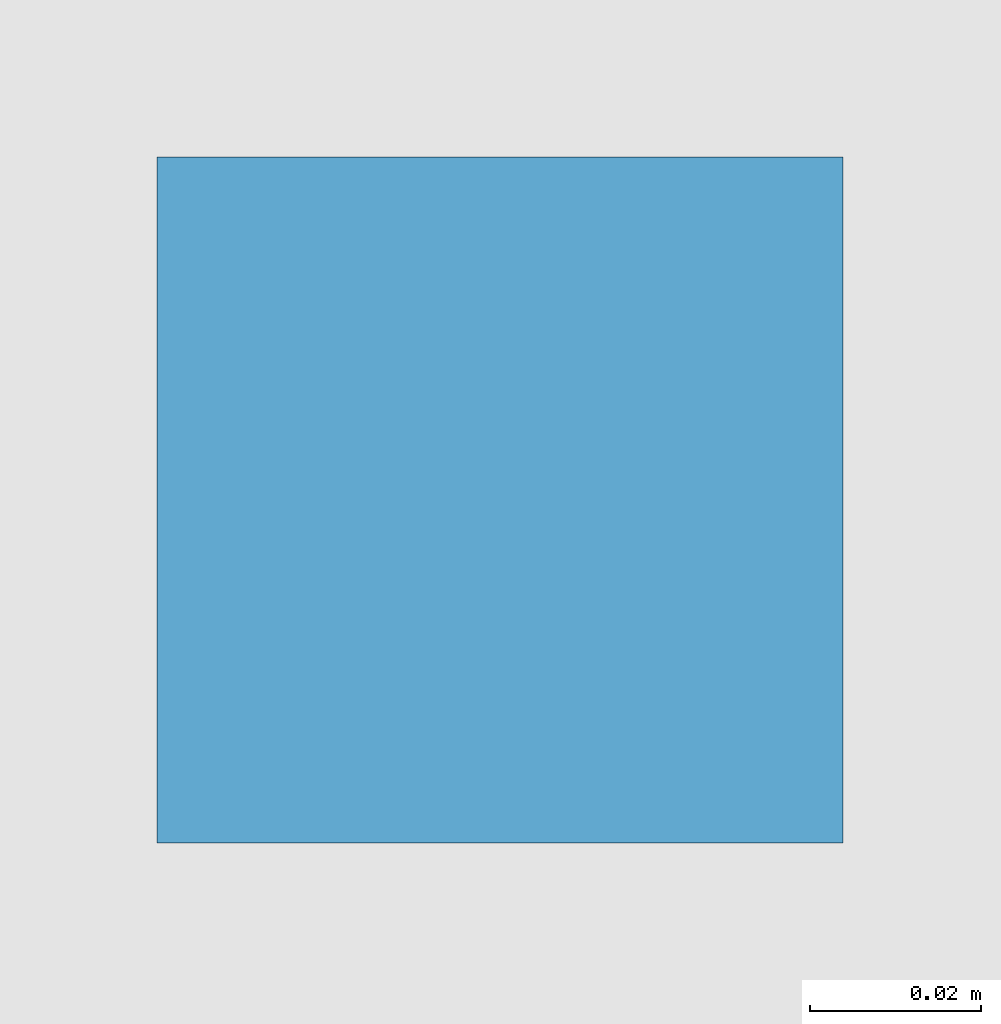
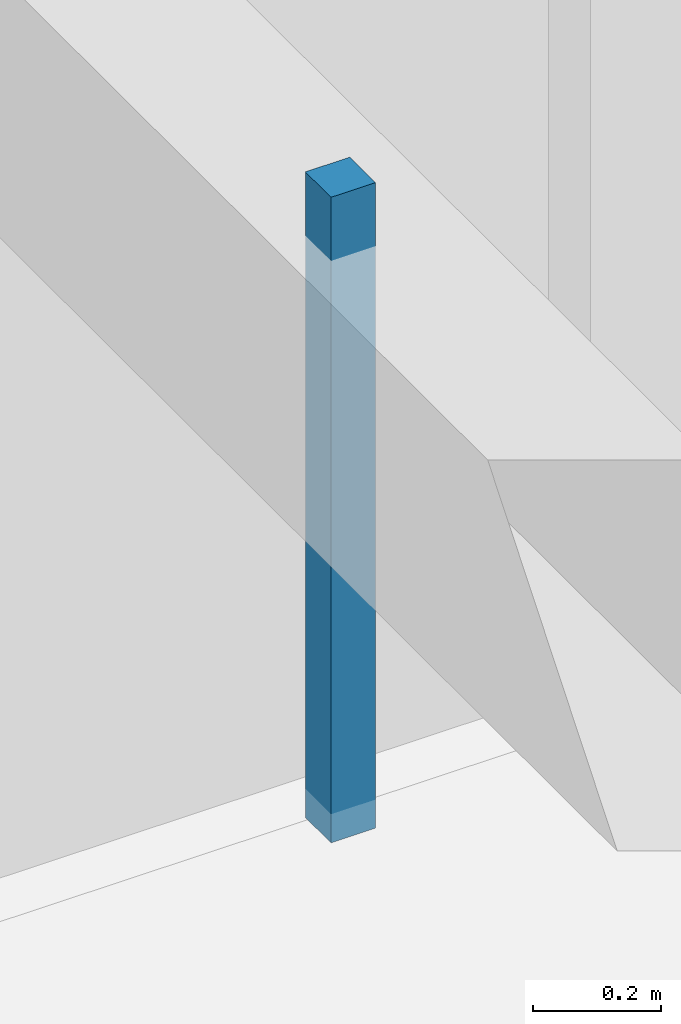
# One storey, part 119 of 144: 1 discrete accessory.
"""IFC4 building model written with IfcOpenShell, lengths in metres."""

from ifc_helpers import new_model, si_unit, direction, frame, origin, origin_2d, place, context, subcontext, project, spatial, rectangle, extrude, material, layer, layer_set, type_object, element, save


model = new_model("IFC4")

# Units and contexts
model_context = context("Model", 3, precision=1e-05, world=origin(), true_north=direction((0.0, 1.0)))
body_context = subcontext(model_context, "Body", "Model", "MODEL_VIEW")
ifc_project = project(units=[si_unit("LENGTHUNIT", "METRE"), si_unit("AREAUNIT", "SQUARE_METRE"), si_unit("VOLUMEUNIT", "CUBIC_METRE"), si_unit("PLANEANGLEUNIT", "RADIAN"), si_unit("MASSUNIT", "GRAM", prefix="KILO")], contexts=[model_context])

# Site, building, storey
site_placement = place(None, origin())
site = spatial("IfcSite", under=ifc_project, at=site_placement, CompositionType="ELEMENT")
building_placement = place(site_placement, origin())
building = spatial("IfcBuilding", under=site, at=building_placement, Name="Varnabhumi Central Station", CompositionType="ELEMENT")
storey_placement = place(building_placement, frame((0.0, 0.0, 4.800048828125)))
storey = spatial("IfcBuildingStorey", under=building, at=storey_placement, Name="L01", CompositionType="ELEMENT", Elevation=4.800048828125)

# Discrete accessory
ifc_material = material(Name="Structural steel E350", Category="steel")
ifc_layer = layer(ifc_material, 0.159912109375, Name="Structural steel E350", Category="steel")
ifc_layer_set = layer_set([ifc_layer], Name="Structural steel E350")
discrete_accessory_type = type_object("IfcDiscreteAccessoryType", Name="ACC-SHADE-BRKT", PredefinedType="BRACKET", material=ifc_layer_set)
discrete_accessory_placement = place(storey_placement, frame((115.949951171875, 4.5, 3.43994140625), z_axis=(0.0, 0.0, 1.0), x_axis=(1.0, 0.0, 0.0)))
element("IfcDiscreteAccessory", 1, at=discrete_accessory_placement, inside=storey, type_object=discrete_accessory_type, Name="Lost Property and Station Archive Store Ceiling Hanger", PredefinedType="BRACKET", context=body_context, shape_type="SweptSolid", body=[
    extrude(rectangle(XDim=0.080078125, YDim=0.080078125, at=origin_2d()), origin(), (0.0, 0.0, 1.0), 1.22998046875),
])

save(model, "model.ifc")
